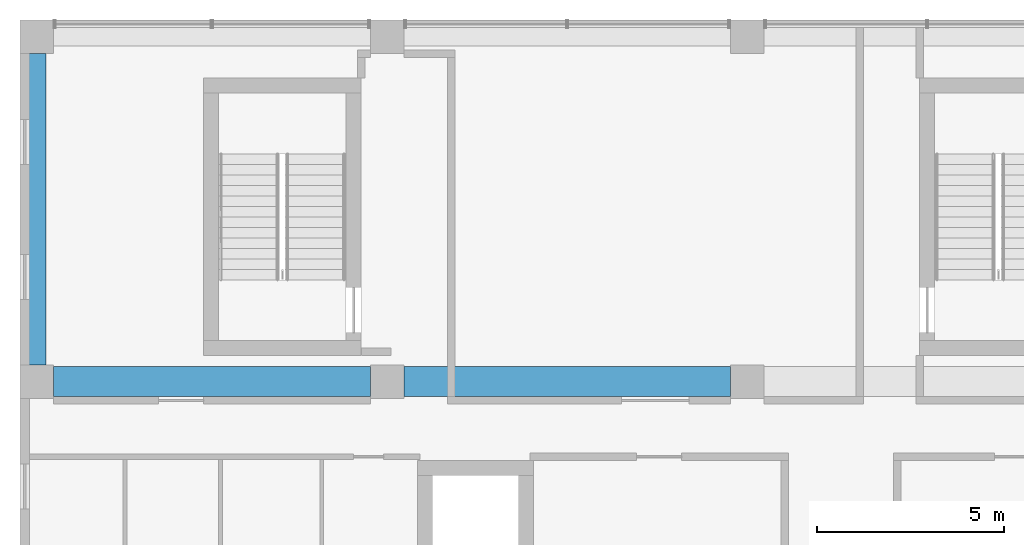
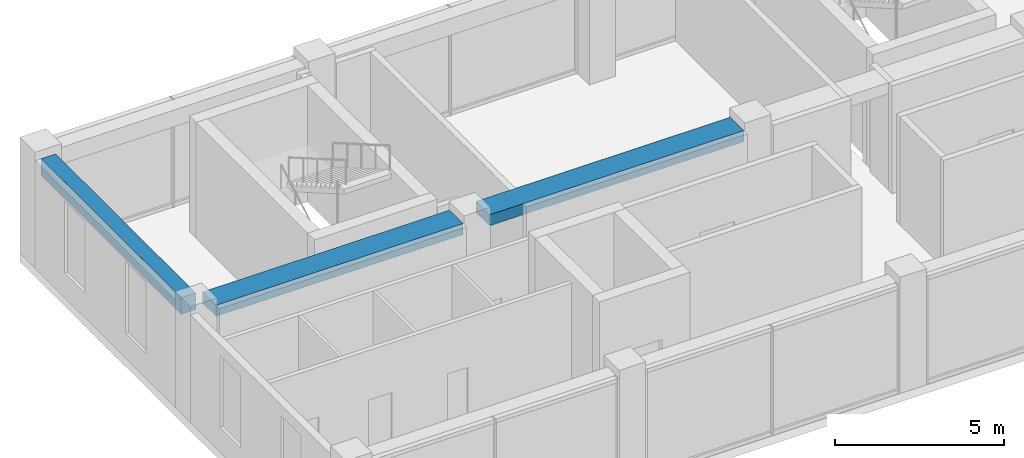
# One storey, part 20 of 37: 3 beams.
"""IFC4 building model written with IfcOpenShell, lengths in metres."""

from ifc_helpers import new_model, si_unit, direction, frame, origin, origin_2d, place, context, subcontext, project, spatial, rectangle, extrude, material, material_profile, profile_set, type_object, element, save


model = new_model("IFC4")

# Units and contexts
model_context = context("Model", 3, precision=1e-05, world=origin(), true_north=direction((0.0, 1.0)))
body_context = subcontext(model_context, "Body", "Model", "MODEL_VIEW")
ifc_project = project(units=[si_unit("LENGTHUNIT", "METRE"), si_unit("AREAUNIT", "SQUARE_METRE"), si_unit("VOLUMEUNIT", "CUBIC_METRE"), si_unit("PLANEANGLEUNIT", "RADIAN"), si_unit("MASSUNIT", "GRAM", prefix="KILO")], contexts=[model_context])

# Site, building, storey
site_placement = place(None, origin())
site = spatial("IfcSite", under=ifc_project, at=site_placement, CompositionType="ELEMENT")
building_placement = place(site_placement, origin())
building = spatial("IfcBuilding", under=site, at=building_placement, Name="Nzadi Deep Aquarium and Research Tower", CompositionType="ELEMENT")
storey_placement = place(building_placement, frame((0.0, 0.0, 57.10009765625)))
storey = spatial("IfcBuildingStorey", under=building, at=storey_placement, Name="L11", CompositionType="ELEMENT", Elevation=57.10009765625)

# Beams
ifc_material_1 = material(Name="Concrete C35/45", Category="concrete")
ifc_material_profile_1 = material_profile(ifc_material_1, rectangle(XDim=0.5, YDim=0.60009765625, at=origin_2d()))
ifc_profile_set_1 = profile_set([ifc_material_profile_1], Name="Concrete C35/45")
beam_type_1 = type_object("IfcBeamType", Name="RC 500x600", PredefinedType="BEAM", material=ifc_profile_set_1)
beam_1_placement = place(storey_placement, frame((0.25, 37.25, 3.599853515625), z_axis=(0.0, 1.0, 0.0), x_axis=(-1.0, 0.0, 0.0)))
element("IfcBeam", 1, at=beam_1_placement, inside=storey, type_object=beam_type_1, Name="B-Z1-L11-CA-2-4", PredefinedType="BEAM", context=body_context, shape_type="SweptSolid", body=[
    extrude(rectangle(XDim=0.5, YDim=0.60009765625, at=origin_2d()), origin(), (0.0, 0.0, 1.0), 8.300048828125),
])
ifc_material_2 = material(Name="Concrete C35/45", Category="concrete")
ifc_material_profile_2 = material_profile(ifc_material_2, rectangle(XDim=0.800048828125, YDim=0.39990234375, at=origin_2d()))
ifc_profile_set_2 = profile_set([ifc_material_profile_2], Name="Concrete C35/45")
beam_type_2 = type_object("IfcBeamType", Name="RC 800x400", PredefinedType="BEAM", material=ifc_profile_set_2)
beam_2_placement = place(storey_placement, frame((0.699951171875, 36.800048828125, 3.699951171875), z_axis=(1.0, 0.0, 0.0), x_axis=(0.0, 1.0, 0.0)))
element("IfcBeam", 2, at=beam_2_placement, inside=storey, type_object=beam_type_2, Name="B-Z1-L11-L5-1", PredefinedType="BEAM", context=body_context, shape_type="SweptSolid", body=[
    extrude(rectangle(XDim=0.800048828125, YDim=0.39990234375, at=origin_2d()), origin(), (0.0, 0.0, 1.0), 8.449951171875),
])
beam_3_placement = place(storey_placement, frame((10.050048828125, 36.800048828125, 3.699951171875), z_axis=(1.0, 0.0, 0.0), x_axis=(0.0, 1.0, 0.0)))
element("IfcBeam", 3, at=beam_3_placement, inside=storey, type_object=beam_type_2, Name="B-Z1-L11-L5-2", PredefinedType="BEAM", context=body_context, shape_type="SweptSolid", body=[
    extrude(rectangle(XDim=0.800048828125, YDim=0.39990234375, at=origin_2d()), origin(), (0.0, 0.0, 1.0), 8.699951171875),
])

save(model, "model.ifc")
